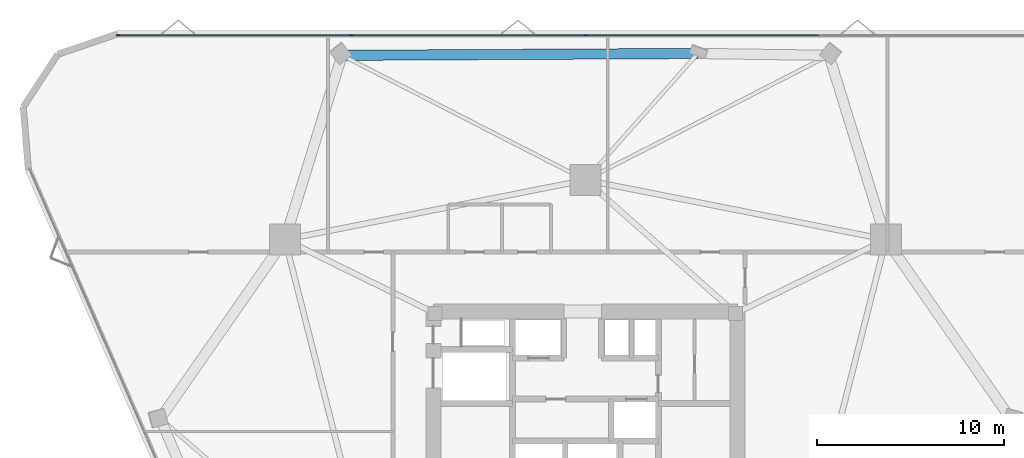
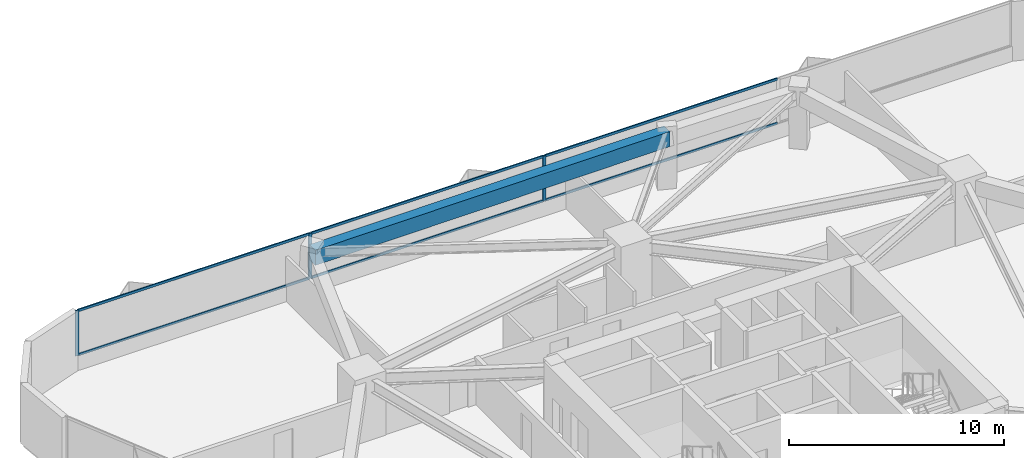
# One storey, part 7 of 15: 9 members, 1 beam, 1 element without a shape of its own.
"""IFC4 building model written with IfcOpenShell, lengths in metres."""

from ifc_helpers import new_model, si_unit, direction, frame, origin, origin_2d, place, context, subcontext, project, spatial, rectangle, extrude, material, layer, layer_set, material_profile, profile_set, type_object, element, aggregate, save


model = new_model("IFC4")

# Units and contexts
model_context = context("Model", 3, precision=1e-05, world=origin(), true_north=direction((0.0, 1.0)))
body_context = subcontext(model_context, "Body", "Model", "MODEL_VIEW")
ifc_project = project(units=[si_unit("LENGTHUNIT", "METRE"), si_unit("AREAUNIT", "SQUARE_METRE"), si_unit("VOLUMEUNIT", "CUBIC_METRE"), si_unit("PLANEANGLEUNIT", "RADIAN"), si_unit("MASSUNIT", "GRAM", prefix="KILO")], contexts=[model_context])

# Site, building, storey
site_placement = place(None, origin())
site = spatial("IfcSite", under=ifc_project, at=site_placement, CompositionType="ELEMENT")
building_placement = place(site_placement, origin())
building = spatial("IfcBuilding", under=site, at=building_placement, Name="Talyreon Biosciences Tower", CompositionType="ELEMENT")
storey_placement = place(building_placement, frame((0.0, 0.0, 111.5)))
storey = spatial("IfcBuildingStorey", under=building, at=storey_placement, Name="L29", CompositionType="ELEMENT", Elevation=111.5)

# Curtain wall, members
ifc_material_1 = material(Name="Thermally broken aluminium and low-E glazing", Category="aluminium")
ifc_layer = layer(ifc_material_1, 0.18994140625)
ifc_layer_set = layer_set([ifc_layer], Name="Thermally broken aluminium and low-E glazing")
curtain_wall_type = type_object("IfcCurtainWallType", Name="CurtainWall_Zone2Genomics", PredefinedType="NOTDEFINED", material=ifc_layer_set)
curtain_wall_placement = place(storey_placement, origin())
curtain_wall = element("IfcCurtainWall", 1, at=curtain_wall_placement, inside=storey, type_object=curtain_wall_type, Name="L29 Unitised Curtain Wall FCW-L29-04", PredefinedType="NOTDEFINED")
ifc_material_2 = material(Name="Anodised thermally broken aluminium", Category="aluminium")
ifc_material_profile_1 = material_profile(ifc_material_2, rectangle(XDim=0.06494140625, YDim=0.179931640625, at=origin_2d()), Name="ALUM MULLION 65x180")
ifc_profile_set_1 = profile_set([ifc_material_profile_1], Name="Anodised thermally broken aluminium")
member_type_1 = type_object("IfcMemberType", Name="CWMullion_65x180", PredefinedType="MULLION", material=ifc_profile_set_1)
member_1_placement = place(storey_placement, frame((40.944091796875, 89.539794921875, 0.81005859375), z_axis=(0.0, 0.0, 1.0), x_axis=(0.0, 1.0, 0.0)))
member_1 = element("IfcMember", 2, at=member_1_placement, type_object=member_type_1, Name="CW3 mullion 1", PredefinedType="MULLION", context=body_context, shape_type="SweptSolid", body=[
    extrude(rectangle(XDim=0.06494140625, YDim=0.179931640625, at=origin_2d()), origin(), (0.0, 0.0, 1.0), 2.56494140625),
])
member_2_placement = place(storey_placement, frame((53.455810546875, 89.539794921875, 0.81005859375), z_axis=(0.0, 0.0, 1.0), x_axis=(0.0, 1.0, 0.0)))
member_2 = element("IfcMember", 3, at=member_2_placement, type_object=member_type_1, Name="CW3 mullion 2", PredefinedType="MULLION", context=body_context, shape_type="SweptSolid", body=[
    extrude(rectangle(XDim=0.06494140625, YDim=0.179931640625, at=origin_2d()), origin(), (0.0, 0.0, 1.0), 2.56494140625),
])
member_3_placement = place(storey_placement, frame((66.0, 89.539794921875, 0.81005859375), z_axis=(0.0, 0.0, 1.0), x_axis=(0.0, 1.0, 0.0)))
member_3 = element("IfcMember", 4, at=member_3_placement, type_object=member_type_1, Name="CW3 mullion 3", PredefinedType="MULLION", context=body_context, shape_type="SweptSolid", body=[
    extrude(rectangle(XDim=0.06494140625, YDim=0.179931640625, at=origin_2d()), origin(), (0.0, 0.0, 1.0), 2.56494140625),
])
ifc_material_profile_2 = material_profile(ifc_material_2, rectangle(XDim=0.06494140625, YDim=0.139892578125, at=origin_2d()), Name="ALUM TRANSOM 65x140")
ifc_profile_set_2 = profile_set([ifc_material_profile_2], Name="Anodised thermally broken aluminium")
member_type_2 = type_object("IfcMemberType", Name="CWTransom_65x140", PredefinedType="USERDEFINED", material=ifc_profile_set_2)
member_4_placement = place(storey_placement, frame((40.9765625, 89.539794921875, 0.842529296875), z_axis=(1.0, 0.0, 0.0), x_axis=(0.0, 1.0, 0.0)))
member_4 = element("IfcMember", 5, at=member_4_placement, type_object=member_type_2, Name="CW3 transom 1.1", ObjectType="TRANSOM", PredefinedType="USERDEFINED", context=body_context, shape_type="SweptSolid", body=[
    extrude(rectangle(XDim=0.06494140625, YDim=0.139892578125, at=origin_2d()), origin(), (0.0, 0.0, 1.0), 12.44677734375),
])
member_5_placement = place(storey_placement, frame((40.9765625, 89.539794921875, 3.342529296875), z_axis=(1.0, 0.0, 0.0), x_axis=(0.0, 1.0, 0.0)))
member_5 = element("IfcMember", 6, at=member_5_placement, type_object=member_type_2, Name="CW3 transom 1.2", ObjectType="TRANSOM", PredefinedType="USERDEFINED", context=body_context, shape_type="SweptSolid", body=[
    extrude(rectangle(XDim=0.06494140625, YDim=0.139892578125, at=origin_2d()), origin(), (0.0, 0.0, 1.0), 12.44677734375),
])
member_6_placement = place(storey_placement, frame((53.48828125, 89.539794921875, 0.842529296875), z_axis=(1.0, 0.0, 0.0), x_axis=(0.0, 1.0, 0.0)))
member_6 = element("IfcMember", 7, at=member_6_placement, type_object=member_type_2, Name="CW3 transom 2.1", ObjectType="TRANSOM", PredefinedType="USERDEFINED", context=body_context, shape_type="SweptSolid", body=[
    extrude(rectangle(XDim=0.06494140625, YDim=0.139892578125, at=origin_2d()), origin(), (0.0, 0.0, 1.0), 12.479248046875),
])
member_7_placement = place(storey_placement, frame((53.48828125, 89.539794921875, 3.342529296875), z_axis=(1.0, 0.0, 0.0), x_axis=(0.0, 1.0, 0.0)))
member_7 = element("IfcMember", 8, at=member_7_placement, type_object=member_type_2, Name="CW3 transom 2.2", ObjectType="TRANSOM", PredefinedType="USERDEFINED", context=body_context, shape_type="SweptSolid", body=[
    extrude(rectangle(XDim=0.06494140625, YDim=0.139892578125, at=origin_2d()), origin(), (0.0, 0.0, 1.0), 12.479248046875),
])
member_8_placement = place(storey_placement, frame((66.032470703125, 89.539794921875, 0.842529296875), z_axis=(1.0, 0.0, 0.0), x_axis=(0.0, 1.0, 0.0)))
member_8 = element("IfcMember", 9, at=member_8_placement, type_object=member_type_2, Name="CW3 transom 3.1", ObjectType="TRANSOM", PredefinedType="USERDEFINED", context=body_context, shape_type="SweptSolid", body=[
    extrude(rectangle(XDim=0.06494140625, YDim=0.139892578125, at=origin_2d()), origin(), (0.0, 0.0, 1.0), 12.479248046875),
])
member_9_placement = place(storey_placement, frame((66.032470703125, 89.539794921875, 3.342529296875), z_axis=(1.0, 0.0, 0.0), x_axis=(0.0, 1.0, 0.0)))
member_9 = element("IfcMember", 10, at=member_9_placement, type_object=member_type_2, Name="CW3 transom 3.2", ObjectType="TRANSOM", PredefinedType="USERDEFINED", context=body_context, shape_type="SweptSolid", body=[
    extrude(rectangle(XDim=0.06494140625, YDim=0.139892578125, at=origin_2d()), origin(), (0.0, 0.0, 1.0), 12.479248046875),
])
aggregate(curtain_wall, [member_1, member_2, member_3, member_4, member_5, member_6, member_7, member_8, member_9])

# Beam
ifc_material_3 = material(Name="Precast concrete C45/55", Category="concrete")
ifc_material_profile_3 = material_profile(ifc_material_3, rectangle(XDim=0.550048828125, YDim=0.85009765625, at=origin_2d()), Name="RCB 550x850")
ifc_profile_set_3 = profile_set([ifc_material_profile_3], Name="Precast concrete C45/55")
beam_type = type_object("IfcBeamType", Name="ExpressedSpandrel_550x850", PredefinedType="SPANDREL", material=ifc_profile_set_3)
beam_placement = place(storey_placement, frame((72.021240234375, 88.56982421875, 2.949951171875), z_axis=(-0.999986220362, -0.005249674776, 0.0), x_axis=(0.005249674776, -0.999986220362, 0.0)))
element("IfcBeam", 11, at=beam_placement, inside=storey, type_object=beam_type, Name="L29 Expressed Horizontal Concrete Spandrel 07", PredefinedType="SPANDREL", context=body_context, shape_type="SweptSolid", body=[
    extrude(rectangle(XDim=0.550048828125, YDim=0.85009765625, at=origin_2d()), origin(), (0.0, 0.0, 1.0), 19.0673828125),
])

save(model, "model.ifc")
